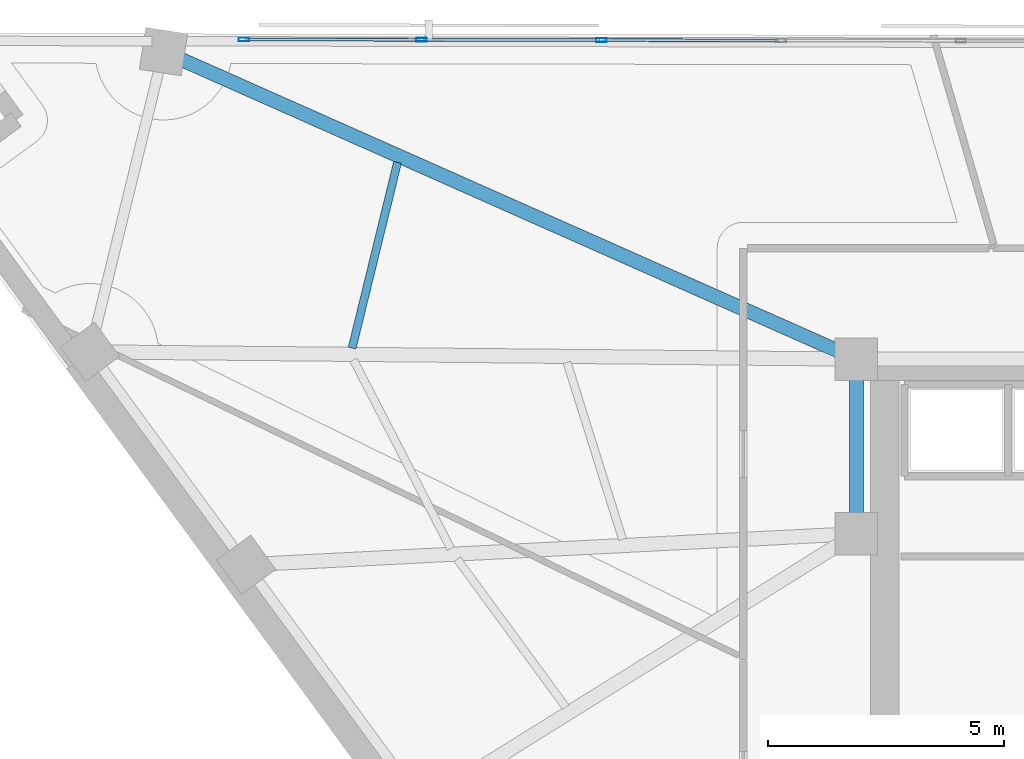
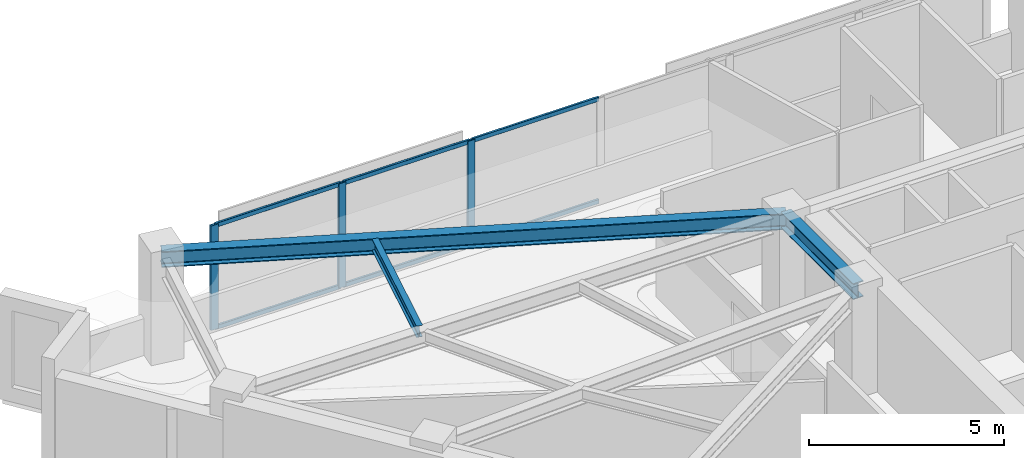
# One storey, part 2 of 13: 9 members, 3 beams, 1 element without a shape of its own.
"""IFC4 building model written with IfcOpenShell, lengths in metres."""

from ifc_helpers import new_model, si_unit, direction, frame, origin, origin_2d, place, context, subcontext, project, spatial, hollow_rectangle, i_section, extrude, material, material_profile, profile_set, type_object, element, aggregate, save


model = new_model("IFC4")

# Units and contexts
model_context = context("Model", 3, precision=1e-05, world=origin(), true_north=direction((0.0, 1.0)))
body_context = subcontext(model_context, "Body", "Model", "MODEL_VIEW")
ifc_project = project(units=[si_unit("LENGTHUNIT", "METRE"), si_unit("AREAUNIT", "SQUARE_METRE"), si_unit("VOLUMEUNIT", "CUBIC_METRE"), si_unit("PLANEANGLEUNIT", "RADIAN"), si_unit("MASSUNIT", "GRAM", prefix="KILO")], contexts=[model_context])

# Site, building, storey
site_placement = place(None, origin())
site = spatial("IfcSite", under=ifc_project, at=site_placement, CompositionType="ELEMENT")
building_placement = place(site_placement, origin())
building = spatial("IfcBuilding", under=site, at=building_placement, Name="Narakoshi Arena Tower", CompositionType="ELEMENT")
storey_placement = place(building_placement, frame((0.0, 0.0, 253.699951171875)))
storey = spatial("IfcBuildingStorey", under=building, at=storey_placement, Name="L69", CompositionType="ELEMENT", Elevation=253.699951171875)

# Beams
ifc_material_1 = material(Name="Structural steel S355J2", Category="steel")
ifc_material_profile_1 = material_profile(ifc_material_1, i_section(OverallWidth=0.300048828125, OverallDepth=0.5, WebThickness=0.014404296875, FlangeThickness=0.028076171875, FilletRadius=0.027099609375, at=origin_2d()), Name="HE500B")
ifc_profile_set_1 = profile_set([ifc_material_profile_1], Name="Structural steel S355J2")
beam_type_1 = type_object("IfcBeamType", Name="BM-PRI-500", PredefinedType="BEAM", material=ifc_profile_set_1)
beam_1_placement = place(storey_placement, frame((72.0, 56.5, 3.010009765625), z_axis=(-0.914014379094, 0.405681790089, 0.0), x_axis=(-0.405681790089, -0.914014379094, 0.0)))
element("IfcBeam", 1, at=beam_1_placement, inside=storey, type_object=beam_type_1, Name="L69 Radial Primary Floor Girder 08", PredefinedType="BEAM", context=body_context, shape_type="SweptSolid", body=[
    extrude(i_section(OverallWidth=0.300048828125, OverallDepth=0.5, WebThickness=0.014404296875, FlangeThickness=0.028076171875, FilletRadius=0.027099609375, at=origin_2d()), origin(), (0.0, 0.0, 1.0), 16.072998046875),
])
beam_2_placement = place(storey_placement, frame((72.0, 52.800048828125, 3.010009765625), z_axis=(0.0, 1.0, 0.0), x_axis=(-1.0, 0.0, 0.0)))
element("IfcBeam", 2, at=beam_2_placement, inside=storey, type_object=beam_type_1, Name="L69 Core Perimeter Frame Beam CC4-CC5", PredefinedType="BEAM", context=body_context, shape_type="SweptSolid", body=[
    extrude(i_section(OverallWidth=0.300048828125, OverallDepth=0.5, WebThickness=0.014404296875, FlangeThickness=0.028076171875, FilletRadius=0.027099609375, at=origin_2d()), origin(), (0.0, 0.0, 1.0), 3.699951171875),
])
ifc_material_profile_2 = material_profile(ifc_material_1, i_section(OverallWidth=0.169921875, OverallDepth=0.360107421875, WebThickness=0.008056640625, FlangeThickness=0.0126953125, FilletRadius=0.01806640625, at=origin_2d()), Name="IPE360")
ifc_profile_set_2 = profile_set([ifc_material_profile_2], Name="Structural steel S355J2")
beam_type_2 = type_object("IfcBeamType", Name="BM-SEC-360", PredefinedType="JOIST", material=ifc_profile_set_2)
beam_3_placement = place(storey_placement, frame((62.27197265625, 60.672607421875, 3.080078125), z_axis=(-0.237419008325, -0.971407337056, 0.0), x_axis=(0.971407337056, -0.237419008325, 0.0)))
element("IfcBeam", 3, at=beam_3_placement, inside=storey, type_object=beam_type_2, Name="L69 Composite Secondary Floor Joist 07", PredefinedType="JOIST", context=body_context, shape_type="SweptSolid", body=[
    extrude(i_section(OverallWidth=0.169921875, OverallDepth=0.360107421875, WebThickness=0.008056640625, FlangeThickness=0.0126953125, FilletRadius=0.01806640625, at=origin_2d()), origin(), (0.0, 0.0, 1.0), 4.0556640625),
])

# Curtain wall, members
ifc_material_2 = material(Name="Anodised bronze aluminium 6063-T6", Category="aluminium")
curtain_wall_type = type_object("IfcCurtainWallType", Name="CW-HYP-HIGH", PredefinedType="NOTDEFINED", material=ifc_material_2)
curtain_wall_placement = place(storey_placement, origin())
curtain_wall = element("IfcCurtainWall", 4, at=curtain_wall_placement, inside=storey, type_object=curtain_wall_type, Name="L69 Folded Hypotenuse Curtain Wall 2-1", PredefinedType="NOTDEFINED")
ifc_material_profile_3 = material_profile(ifc_material_2, hollow_rectangle(XDim=0.080078125, YDim=0.219970703125, WallThickness=0.0048828125, OuterFilletRadius=0.006103515625, at=origin_2d()), Name="MUL220x80x5")
ifc_profile_set_3 = profile_set([ifc_material_profile_3], Name="Anodised bronze aluminium 6063-T6")
member_type_1 = type_object("IfcMemberType", Name="MEM-MUL-220", PredefinedType="MULLION", material=ifc_profile_set_3)
member_1_placement = place(storey_placement, frame((66.59326171875, 63.263671875, 0.0), z_axis=(0.0, 0.0, 1.0), x_axis=(-0.001819896899, -0.999998343986, 0.0)))
member_1 = element("IfcMember", 5, at=member_1_placement, type_object=member_type_1, Name="CW-03 mullion 5", PredefinedType="MULLION", context=body_context, shape_type="SweptSolid", body=[
    extrude(hollow_rectangle(XDim=0.080078125, YDim=0.219970703125, WallThickness=0.0048828125, OuterFilletRadius=0.006103515625, at=origin_2d()), origin(), (0.0, 0.0, 1.0), 3.260009765625),
])
member_2_placement = place(storey_placement, frame((62.78369140625, 63.270751953125, 0.0), z_axis=(0.0, 0.0, 1.0), x_axis=(-0.001819896899, -0.999998343986, 0.0)))
member_2 = element("IfcMember", 6, at=member_2_placement, type_object=member_type_1, Name="CW-03 mullion 6", PredefinedType="MULLION", context=body_context, shape_type="SweptSolid", body=[
    extrude(hollow_rectangle(XDim=0.080078125, YDim=0.219970703125, WallThickness=0.0048828125, OuterFilletRadius=0.006103515625, at=origin_2d()), origin(), (0.0, 0.0, 1.0), 3.260009765625),
])
member_3_placement = place(storey_placement, frame((59.013916015625, 63.277587890625, 0.0), z_axis=(0.0, 0.0, 1.0), x_axis=(-0.001819896899, -0.999998343986, 0.0)))
member_3 = element("IfcMember", 7, at=member_3_placement, type_object=member_type_1, Name="CW-03 mullion 7", PredefinedType="MULLION", context=body_context, shape_type="SweptSolid", body=[
    extrude(hollow_rectangle(XDim=0.080078125, YDim=0.219970703125, WallThickness=0.0048828125, OuterFilletRadius=0.006103515625, at=origin_2d()), origin(), (0.0, 0.0, 1.0), 3.260009765625),
])
ifc_material_profile_4 = material_profile(ifc_material_2, hollow_rectangle(XDim=0.06494140625, YDim=0.1298828125, WallThickness=0.00390625, OuterFilletRadius=0.0048828125, at=origin_2d()), Name="TRN130x65x4")
ifc_profile_set_4 = profile_set([ifc_material_profile_4], Name="Anodised bronze aluminium 6063-T6")
member_type_2 = type_object("IfcMemberType", Name="MEM-TRN-130", PredefinedType="USERDEFINED", material=ifc_profile_set_4)
member_4_placement = place(storey_placement, frame((70.363037109375, 63.2568359375, 0.032470703125), z_axis=(-0.999998320389, 0.001832817502, 0.0), x_axis=(-0.001832817502, -0.999998320389, 0.0)))
member_4 = element("IfcMember", 8, at=member_4_placement, type_object=member_type_2, Name="CW-03 transom 4.1", ObjectType="TRANSOM", PredefinedType="USERDEFINED", context=body_context, shape_type="SweptSolid", body=[
    extrude(hollow_rectangle(XDim=0.06494140625, YDim=0.1298828125, WallThickness=0.00390625, OuterFilletRadius=0.0048828125, at=origin_2d()), origin(), (0.0, 0.0, 1.0), 3.729736328125),
])
member_5_placement = place(storey_placement, frame((70.363037109375, 63.2568359375, 3.2275390625), z_axis=(-0.999998320389, 0.001832817502, 0.0), x_axis=(-0.001832817502, -0.999998320389, 0.0)))
member_5 = element("IfcMember", 9, at=member_5_placement, type_object=member_type_2, Name="CW-03 transom 4.2", ObjectType="TRANSOM", PredefinedType="USERDEFINED", context=body_context, shape_type="SweptSolid", body=[
    extrude(hollow_rectangle(XDim=0.06494140625, YDim=0.1298828125, WallThickness=0.00390625, OuterFilletRadius=0.0048828125, at=origin_2d()), origin(), (0.0, 0.0, 1.0), 3.729736328125),
])
member_6_placement = place(storey_placement, frame((66.553466796875, 63.263916015625, 0.032470703125), z_axis=(-0.999998438218, 0.001767359942, 0.0), x_axis=(-0.001767359942, -0.999998438218, 0.0)))
member_6 = element("IfcMember", 10, at=member_6_placement, type_object=member_type_2, Name="CW-03 transom 5.1", ObjectType="TRANSOM", PredefinedType="USERDEFINED", context=body_context, shape_type="SweptSolid", body=[
    extrude(hollow_rectangle(XDim=0.06494140625, YDim=0.1298828125, WallThickness=0.00390625, OuterFilletRadius=0.0048828125, at=origin_2d()), origin(), (0.0, 0.0, 1.0), 3.729736328125),
])
member_7_placement = place(storey_placement, frame((66.553466796875, 63.263916015625, 3.2275390625), z_axis=(-0.999998438218, 0.001767359942, 0.0), x_axis=(-0.001767359942, -0.999998438218, 0.0)))
member_7 = element("IfcMember", 11, at=member_7_placement, type_object=member_type_2, Name="CW-03 transom 5.2", ObjectType="TRANSOM", PredefinedType="USERDEFINED", context=body_context, shape_type="SweptSolid", body=[
    extrude(hollow_rectangle(XDim=0.06494140625, YDim=0.1298828125, WallThickness=0.00390625, OuterFilletRadius=0.0048828125, at=origin_2d()), origin(), (0.0, 0.0, 1.0), 3.729736328125),
])
member_8_placement = place(storey_placement, frame((62.74365234375, 63.270751953125, 0.032470703125), z_axis=(-0.999998404139, 0.001786538537, 0.0), x_axis=(-0.001786538537, -0.999998404139, 0.0)))
member_8 = element("IfcMember", 12, at=member_8_placement, type_object=member_type_2, Name="CW-03 transom 6.1", ObjectType="TRANSOM", PredefinedType="USERDEFINED", context=body_context, shape_type="SweptSolid", body=[
    extrude(hollow_rectangle(XDim=0.06494140625, YDim=0.1298828125, WallThickness=0.00390625, OuterFilletRadius=0.0048828125, at=origin_2d()), origin(), (0.0, 0.0, 1.0), 3.689697265625),
])
member_9_placement = place(storey_placement, frame((62.74365234375, 63.270751953125, 3.2275390625), z_axis=(-0.999998404139, 0.001786538537, 0.0), x_axis=(-0.001786538537, -0.999998404139, 0.0)))
member_9 = element("IfcMember", 13, at=member_9_placement, type_object=member_type_2, Name="CW-03 transom 6.2", ObjectType="TRANSOM", PredefinedType="USERDEFINED", context=body_context, shape_type="SweptSolid", body=[
    extrude(hollow_rectangle(XDim=0.06494140625, YDim=0.1298828125, WallThickness=0.00390625, OuterFilletRadius=0.0048828125, at=origin_2d()), origin(), (0.0, 0.0, 1.0), 3.689697265625),
])
aggregate(curtain_wall, [member_1, member_2, member_3, member_4, member_5, member_6, member_7, member_8, member_9])

save(model, "model.ifc")
